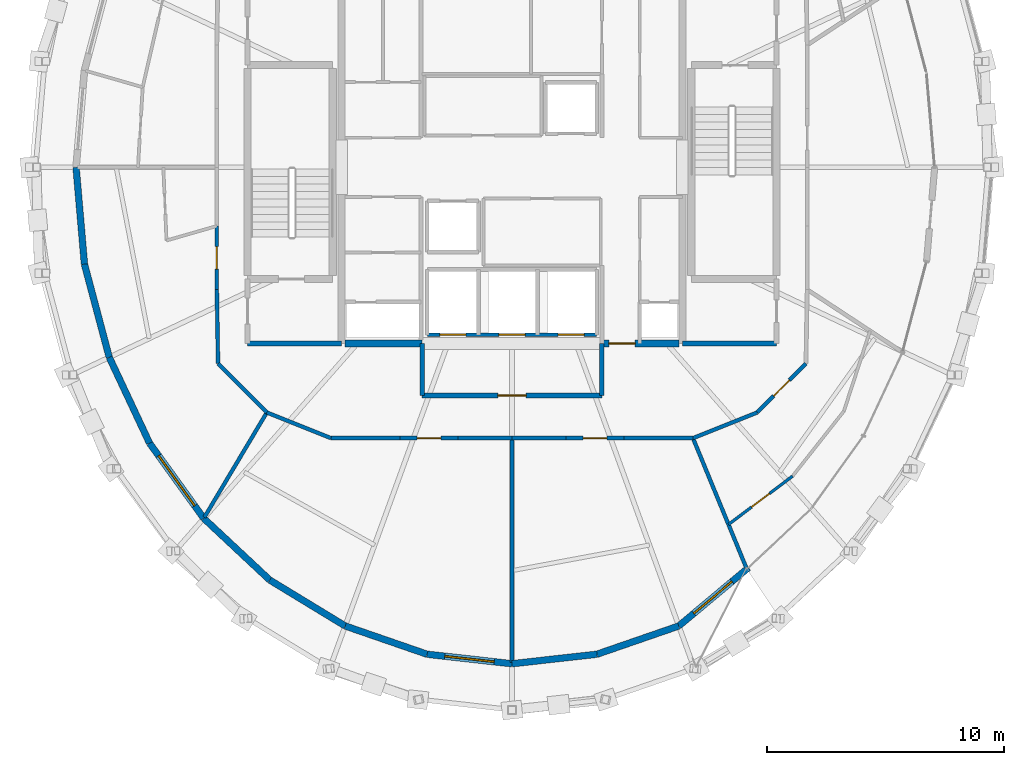
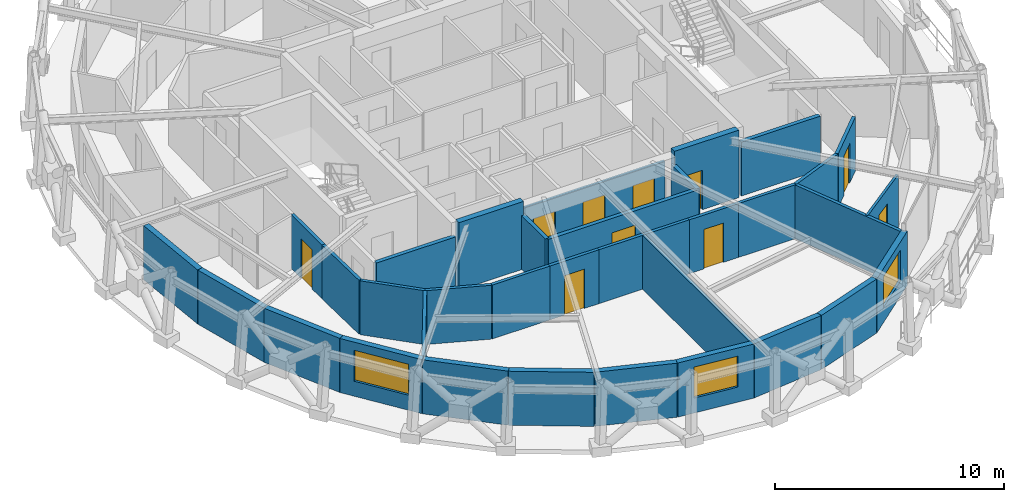
# One storey, part 11 of 16: 35 walls, 10 doors, 3 windows, 13 openings.
"""IFC4 building model written with IfcOpenShell, lengths in metres."""

import ifcopenshell
import ifcopenshell.guid

model = None  # the IFC model being written
_history = None  # IfcOwnerHistory: only IFC2X3 demands one
_inside = {}  # id of a spatial element -> (the spatial element, [elements in it])
_under = {}  # id of a project, library or spatial element -> (it, [spatial elements below it])
_declared = {}  # id of a project -> (the project, [libraries it declares])
_typed = {}  # id of a type object -> (the type object, [elements of that type])
_made_of = {}  # id of a material, layer set ... -> (it, [elements and type objects made of it])


def new_model(schema):
    """Start an empty IFC model of exactly this schema.

    Asked for "IFC4X3", IfcOpenShell would pick the latest addendum, in which some entities
    have other attributes; the version numbers below select the first issue.
    IFC2X3 requires an IfcOwnerHistory on every rooted entity: one is made here for all.
    """
    global model, _history
    if schema == "IFC4X3":
        model = ifcopenshell.file(schema_version=(4, 3, 0, 0))
    else:
        model = ifcopenshell.file(schema=schema)
    _inside.clear()
    _under.clear()
    _declared.clear()
    _typed.clear()
    _made_of.clear()
    _history = None
    if model.schema == "IFC2X3":
        org = make("IfcOrganization", Name="unknown")
        user = make(
            "IfcPersonAndOrganization",
            ThePerson=make("IfcPerson", FamilyName="unknown"),
            TheOrganization=org,
        )
        app = make(
            "IfcApplication",
            ApplicationDeveloper=org,
            Version="unknown",
            ApplicationFullName="unknown",
            ApplicationIdentifier="unknown",
        )
        _history = make(
            "IfcOwnerHistory",
            OwningUser=user,
            OwningApplication=app,
            ChangeAction="ADDED",
            CreationDate=0,
        )
    return model


def make(cls, **values):
    """One entity of the class cls with the attributes given. An attribute that is None is left unset."""
    return model.create_entity(
        cls, **{name: value for name, value in values.items() if value is not None}
    )


def rooted(cls, **values):
    """An entity with a GlobalId (a new one), such as an element, a storey or a relation."""
    return make(cls, GlobalId=ifcopenshell.guid.new(), OwnerHistory=_history, **values)


def si_unit(unit_type, name, prefix=None):
    """IfcSIUnit, for example si_unit("LENGTHUNIT", "METRE", prefix="MILLI")."""
    return make("IfcSIUnit", UnitType=unit_type, Prefix=prefix, Name=name)


def assignment(units):
    """IfcUnitAssignment: the units of a project."""
    return None if units is None else make("IfcUnitAssignment", Units=units)


def point(xyz):
    """IfcCartesianPoint."""
    return None if xyz is None else make("IfcCartesianPoint", Coordinates=xyz)


def direction(xyz):
    """IfcDirection."""
    return None if xyz is None else make("IfcDirection", DirectionRatios=xyz)


def frame(location, z_axis=None, x_axis=None):
    """IfcAxis2Placement3D, a coordinate frame: its origin and axes. An axis left out is left unset."""
    return make(
        "IfcAxis2Placement3D",
        Location=point(location),
        Axis=direction(z_axis),
        RefDirection=direction(x_axis),
    )


def frame_2d(location, x_axis=None):
    """IfcAxis2Placement2D, a coordinate frame in the plane: its origin and x axis."""
    return make(
        "IfcAxis2Placement2D", Location=point(location), RefDirection=direction(x_axis)
    )


def origin():
    """The frame at (0, 0, 0) with its axes left unset."""
    return frame((0.0, 0.0, 0.0))


def place(relative_to, where):
    """IfcLocalPlacement: puts the frame where relative to a parent placement (None: the world)."""
    return make(
        "IfcLocalPlacement", PlacementRelTo=relative_to, RelativePlacement=where
    )


def context(
    kind, dimensions, precision=None, world=None, true_north=None, identifier=None
):
    """IfcGeometricRepresentationContext, for example the 3D "Model" context."""
    return make(
        "IfcGeometricRepresentationContext",
        ContextIdentifier=identifier,
        ContextType=kind,
        CoordinateSpaceDimension=dimensions,
        Precision=precision,
        WorldCoordinateSystem=world,
        TrueNorth=true_north,
    )


def subcontext(parent, identifier, kind, view, scale=None):
    """IfcGeometricRepresentationSubContext, for example "Body" below "Model"."""
    return make(
        "IfcGeometricRepresentationSubContext",
        ContextIdentifier=identifier,
        ContextType=kind,
        ParentContext=parent,
        TargetScale=scale,
        TargetView=view,
    )


def project(units=None, contexts=None):
    """IfcProject with its units and contexts."""
    return rooted(
        "IfcProject",
        Name="project",
        RepresentationContexts=contexts,
        UnitsInContext=assignment(units),
    )


def spatial(cls, under=None, at=None, **own):
    """A site, building, storey or space (cls), placed at a placement, below another one or the project."""
    s = rooted(cls, ObjectPlacement=at, **own)
    if under is not None:
        _under.setdefault(under.id(), (under, []))[1].append(s)
    return s


def profile(cls, at=None, kind="AREA", **sizes):
    """A parametric profile (cls). Its sizes go by their IFC names, for example OverallWidth=200.0."""
    return make(cls, ProfileType=kind, Position=at, **sizes)


def rectangle(**sizes):
    """IfcRectangleProfileDef."""
    return profile("IfcRectangleProfileDef", **sizes)


def extrude(swept, where, along, depth):
    """IfcExtrudedAreaSolid: the profile swept, set in the frame where, extruded along a direction by depth."""
    return make(
        "IfcExtrudedAreaSolid",
        SweptArea=swept,
        Position=where,
        ExtrudedDirection=direction(along),
        Depth=depth,
    )


def shape(context_of_items, identifier, shape_type, items):
    """IfcShapeRepresentation: the items that make up one representation, for example the "Body"."""
    return make(
        "IfcShapeRepresentation",
        ContextOfItems=context_of_items,
        RepresentationIdentifier=identifier,
        RepresentationType=shape_type,
        Items=items,
    )


def material(Name=None, Category=None):
    """IfcMaterial."""
    return make("IfcMaterial", Name=Name, Category=Category)


def layer(
    of_material, thickness, ventilated=None, Name=None, Category=None, Priority=None
):
    """IfcMaterialLayer: one layer of a wall or slab, of a material (None: an air gap)."""
    return make(
        "IfcMaterialLayer",
        Material=of_material,
        LayerThickness=thickness,
        IsVentilated=ventilated,
        Name=Name,
        Category=Category,
        Priority=Priority,
    )


def layer_set(layers, Name=None):
    """IfcMaterialLayerSet."""
    return make("IfcMaterialLayerSet", MaterialLayers=layers, LayerSetName=Name)


def made_of(thing, what):
    """Note that an element or type object is made of a material, layer set ...; save() writes the relation."""
    if what is not None:
        _made_of.setdefault(what.id(), (what, []))[1].append(thing)
    return thing


def type_object(cls, material=None, **own):
    """A type object (cls), such as IfcWallType, which elements share."""
    return made_of(rooted(cls, **own), material)


def element(
    cls,
    number,
    at=None,
    inside=None,
    cuts=None,
    type_object=None,
    material=None,
    context=None,
    identifier="Body",
    shape_type=None,
    held_by="IfcProductDefinitionShape",
    body=None,
    shapes=None,
    **own,
):
    """One element of the class cls, such as IfcWall. Its Tag is "e" and its number.

    at: its placement. inside: the storey or other place that contains it. cuts: it is an
    opening in that element (IfcRelVoidsElement). A single representation is given by context,
    identifier, shape_type and body (its items); several are given by shapes. held_by: the class
    of the entity that holds the representations. save() writes the other relations.
    """
    e = rooted(cls, Tag="e%d" % number, ObjectPlacement=at, **own)
    if body is not None:
        shapes = [shape(context, identifier, shape_type, body)]
    if shapes is not None:
        e.Representation = make(held_by, Representations=shapes)
    if inside is not None:
        _inside.setdefault(inside.id(), (inside, []))[1].append(e)
    if cuts is not None:
        rooted(
            "IfcRelVoidsElement", RelatingBuildingElement=cuts, RelatedOpeningElement=e
        )
    if type_object is not None:
        _typed.setdefault(type_object.id(), (type_object, []))[1].append(e)
    return made_of(e, material)


def fill(opening, filler):
    """IfcRelFillsElement: the door or window that sits in an opening."""
    return rooted(
        "IfcRelFillsElement",
        RelatingOpeningElement=opening,
        RelatedBuildingElement=filler,
    )


def aggregate(whole, parts):
    """IfcRelAggregates: a whole, such as a stair, and the parts it consists of."""
    return rooted("IfcRelAggregates", RelatingObject=whole, RelatedObjects=parts)


def save(model, path):
    """Write the relations noted so far, then the file.

    IfcRelAggregates (storeys below a building ...), IfcRelContainedInSpatialStructure (elements
    in a storey), IfcRelDefinesByType, IfcRelAssociatesMaterial and IfcRelDeclares: one each for
    every whole, place, type object, material and project.
    """
    for whole, parts in _under.values():
        aggregate(whole, parts)
    for where, things in _inside.values():
        rooted(
            "IfcRelContainedInSpatialStructure",
            RelatedElements=things,
            RelatingStructure=where,
        )
    for kind, things in _typed.values():
        rooted("IfcRelDefinesByType", RelatedObjects=things, RelatingType=kind)
    for what, things in _made_of.values():
        rooted("IfcRelAssociatesMaterial", RelatedObjects=things, RelatingMaterial=what)
    for by, libraries in _declared.values():
        rooted("IfcRelDeclares", RelatingContext=by, RelatedDefinitions=libraries)
    model.write(path)


model = new_model("IFC4")

# Units and contexts
model_context = context("Model", 3, precision=1e-05, world=origin(), true_north=direction((0.0, 1.0)))
body_context = subcontext(model_context, "Body", "Model", "MODEL_VIEW")
ifc_project = project(units=[si_unit("LENGTHUNIT", "METRE"), si_unit("AREAUNIT", "SQUARE_METRE"), si_unit("VOLUMEUNIT", "CUBIC_METRE"), si_unit("PLANEANGLEUNIT", "RADIAN"), si_unit("MASSUNIT", "GRAM", prefix="KILO")], contexts=[model_context])

# Site, building, storey
site_placement = place(None, origin())
site = spatial("IfcSite", under=ifc_project, at=site_placement, CompositionType="ELEMENT")
building_placement = place(site_placement, origin())
building = spatial("IfcBuilding", under=site, at=building_placement, Name="Veldorina Hangang Commons", CompositionType="ELEMENT")
storey_placement = place(building_placement, frame((0.0, 0.0, 283.199951171875)))
storey = spatial("IfcBuildingStorey", under=building, at=storey_placement, Name="L74", CompositionType="ELEMENT", Elevation=283.199951171875)

# Wall
ifc_material_1 = material(Name="Concrete C50/60", Category="concrete")
ifc_layer_1 = layer(ifc_material_1, 0.300048828125)
ifc_layer_set_1 = layer_set([ifc_layer_1], Name="Concrete C50/60")
wall_type_1 = type_object("IfcWallType", Name="CW-RC300-C50", PredefinedType="SHEAR", material=ifc_layer_set_1)
wall_1_placement = place(storey_placement, frame((24.949951171875, 16.550048828125, 0.0), z_axis=(0.0, 0.0, 1.0), x_axis=(1.0, 0.0, 0.0)))
element("IfcWall", 1, at=wall_1_placement, inside=storey, type_object=wall_type_1, Name="L74 south-west core shear wall", PredefinedType="SHEAR", context=body_context, shape_type="SweptSolid", body=[
    extrude(rectangle(XDim=3.25, YDim=0.300048828125, at=frame_2d((1.625, 0.0))), origin(), (0.0, 0.0, 1.0), 3.60009765625),
])

# Wall, opening, door
wall_2_placement = place(storey_placement, frame((35.800048828125, 16.550048828125, 0.0), z_axis=(0.0, 0.0, 1.0), x_axis=(1.0, 0.0, 0.0)))
wall_2 = element("IfcWall", 2, at=wall_2_placement, inside=storey, type_object=wall_type_1, Name="L74 south-east core shear wall", PredefinedType="SHEAR", context=body_context, shape_type="SweptSolid", body=[
    extrude(rectangle(XDim=3.25, YDim=0.300048828125, at=frame_2d((1.625, 0.0))), origin(), (0.0, 0.0, 1.0), 3.60009765625),
])
opening_1_placement = place(wall_2_placement, frame((0.300048828125, 0.0, 0.0)))
opening_1 = element("IfcOpeningElement", 3, at=opening_1_placement, cuts=wall_2, Name="Opening D-08", PredefinedType="OPENING", context=body_context, shape_type="SweptSolid", body=[
    extrude(rectangle(XDim=1.10009765625, YDim=2.10009765625, at=frame_2d((0.550048828125, 1.050048828125))), frame((0.0, 0.16015625, 0.0), z_axis=(0.0, -1.0, 0.0), x_axis=(1.0, 0.0, 0.0)), (0.0, 0.0, 1.0), 0.320068359375),
])
ifc_material_2 = material(Name="Steel Fire-Rated Smoke Seal", Category="steel")
door_type_1 = type_object("IfcDoorType", Name="DR-FIRE-1100", OperationType="SINGLE_SWING_RIGHT", PredefinedType="DOOR", material=ifc_material_2)
door_1_placement = place(opening_1_placement, origin())
door_1 = element("IfcDoor", 4, at=door_1_placement, inside=storey, type_object=door_type_1, Name="L74 central lift lobby south corridor door", OperationType="SINGLE_SWING_RIGHT", OverallHeight=2.10009765625, OverallWidth=1.10009765625, PredefinedType="DOOR", context=body_context, shape_type="SweptSolid", body=[
    extrude(rectangle(XDim=1.10009765625, YDim=2.10009765625, at=frame_2d((0.550048828125, 1.050048828125))), frame((0.0, 0.02490234375, 0.0), z_axis=(0.0, -1.0, 0.0), x_axis=(1.0, 0.0, 0.0)), (0.0, 0.0, 1.0), 0.050048828125),
])
fill(opening_1, door_1)

# Walls
ifc_material_3 = material(Name="Stone Roman Travertine", Category="masonry")
ifc_layer_2 = layer(ifc_material_3, 0.280029296875)
ifc_layer_set_2 = layer_set([ifc_layer_2], Name="Stone Roman Travertine")
wall_type_2 = type_object("IfcWallType", Name="EW-TRAV-280", PredefinedType="STANDARD", material=ifc_layer_set_2)
wall_3_placement = place(storey_placement, frame((13.5703125, 24.0, 0.0), z_axis=(0.0, 0.0, 1.0), x_axis=(0.086132326102, -0.996283705779, 0.0)))
element("IfcWall", 5, at=wall_3_placement, inside=storey, type_object=wall_type_2, Name="L74 travertine facade wall 16", PredefinedType="STANDARD", context=body_context, shape_type="SweptSolid", body=[
    extrude(rectangle(XDim=4.110107421875, YDim=0.280029296875, at=frame_2d((2.05517578125, 0.0))), origin(), (0.0, 0.0, 1.0), 2.880126953125),
])
wall_4_placement = place(storey_placement, frame((13.92431640625, 19.9052734375, 0.0), z_axis=(0.0, 0.0, 1.0), x_axis=(0.257409045533, -0.966302531963, 0.0)))
element("IfcWall", 6, at=wall_4_placement, inside=storey, type_object=wall_type_2, Name="L74 travertine facade wall 17", PredefinedType="STANDARD", context=body_context, shape_type="SweptSolid", body=[
    extrude(rectangle(XDim=4.074462890625, YDim=0.280029296875, at=frame_2d((2.037109375, 0.0))), origin(), (0.0, 0.0, 1.0), 2.880126953125),
])
wall_5_placement = place(storey_placement, frame((14.97314453125, 15.968017578125, 0.0), z_axis=(0.0, 0.0, 1.0), x_axis=(0.424881672648, -0.905248896297, 0.0)))
element("IfcWall", 7, at=wall_5_placement, inside=storey, type_object=wall_type_2, Name="L74 travertine facade wall 18", PredefinedType="STANDARD", context=body_context, shape_type="SweptSolid", body=[
    extrude(rectangle(XDim=4.008544921875, YDim=0.280029296875, at=frame_2d((2.00439453125, 0.0))), origin(), (0.0, 0.0, 1.0), 2.880126953125),
])

# Wall, opening, window
wall_6_placement = place(storey_placement, frame((16.67626953125, 12.33935546875, 0.0), z_axis=(0.0, 0.0, 1.0), x_axis=(0.584655758142, -0.811281482884, 0.0)))
wall_6 = element("IfcWall", 8, at=wall_6_placement, inside=storey, type_object=wall_type_2, Name="L74 travertine facade wall 19", PredefinedType="STANDARD", context=body_context, shape_type="SweptSolid", body=[
    extrude(rectangle(XDim=3.920166015625, YDim=0.280029296875, at=frame_2d((1.9599609375, 0.0))), origin(), (0.0, 0.0, 1.0), 2.880126953125),
])
opening_2_placement = place(wall_6_placement, frame((0.66015625, 0.0, 0.800048828125)))
opening_2 = element("IfcOpeningElement", 9, at=opening_2_placement, cuts=wall_6, Name="Opening W-02", PredefinedType="OPENING", context=body_context, shape_type="SweptSolid", body=[
    extrude(rectangle(XDim=2.60009765625, YDim=1.64990234375, at=frame_2d((1.300048828125, 0.824951171875))), frame((0.0, 0.14990234375, 0.0), z_axis=(0.0, -1.0, 0.0), x_axis=(1.0, 0.0, 0.0)), (0.0, 0.0, 1.0), 0.300048828125),
])
ifc_material_4 = material(Name="Glass Low-E Triple IGU", Category="glass")
window_type_1 = type_object("IfcWindowType", Name="WIN-TWR-2600", PartitioningType="SINGLE_PANEL", PredefinedType="WINDOW", material=ifc_material_4)
window_1_placement = place(opening_2_placement, origin())
window_1 = element("IfcWindow", 10, at=window_1_placement, inside=storey, type_object=window_type_1, Name="L74 facade window 19", OverallHeight=1.64990234375, OverallWidth=2.60009765625, PartitioningType="SINGLE_PANEL", PredefinedType="WINDOW", context=body_context, shape_type="SweptSolid", body=[
    extrude(rectangle(XDim=2.60009765625, YDim=1.64990234375, at=frame_2d((1.300048828125, 0.824951171875))), frame((0.0, 0.030029296875, 0.0), z_axis=(0.0, -1.0, 0.0), x_axis=(1.0, 0.0, 0.0)), (0.0, 0.0, 1.0), 0.06005859375),
])
fill(opening_2, window_1)

# Walls
wall_7_placement = place(storey_placement, frame((18.96826171875, 9.158935546875, 0.0), z_axis=(0.0, 0.0, 1.0), x_axis=(0.730558106244, -0.682850535184, 0.0)))
element("IfcWall", 11, at=wall_7_placement, inside=storey, type_object=wall_type_2, Name="L74 travertine facade wall 20", PredefinedType="STANDARD", context=body_context, shape_type="SweptSolid", body=[
    extrude(rectangle(XDim=3.82275390625, YDim=0.280029296875, at=frame_2d((1.911376953125, 0.0))), origin(), (0.0, 0.0, 1.0), 2.880126953125),
])
wall_8_placement = place(storey_placement, frame((21.760986328125, 6.548583984375, 0.0), z_axis=(0.0, 0.0, 1.0), x_axis=(0.854201083367, -0.519942794136, 0.0)))
element("IfcWall", 12, at=wall_8_placement, inside=storey, type_object=wall_type_2, Name="L74 travertine facade wall 21", PredefinedType="STANDARD", context=body_context, shape_type="SweptSolid", body=[
    extrude(rectangle(XDim=3.730224609375, YDim=0.280029296875, at=frame_2d((1.865234375, 0.0))), origin(), (0.0, 0.0, 1.0), 2.880126953125),
])
wall_9_placement = place(storey_placement, frame((24.947265625, 4.609130859375, 0.0), z_axis=(0.0, 0.0, 1.0), x_axis=(0.945189830933, -0.326521336976, 0.0)))
element("IfcWall", 13, at=wall_9_placement, inside=storey, type_object=wall_type_2, Name="L74 travertine facade wall 22", PredefinedType="STANDARD", context=body_context, shape_type="SweptSolid", body=[
    extrude(rectangle(XDim=3.65771484375, YDim=0.280029296875, at=frame_2d((1.828857421875, 0.0))), origin(), (0.0, 0.0, 1.0), 2.880126953125),
])

# Wall, opening, window
wall_10_placement = place(storey_placement, frame((28.404541015625, 3.414794921875, 0.0), z_axis=(0.0, 0.0, 1.0), x_axis=(0.993767154633, -0.111475747909, 0.0)))
wall_10 = element("IfcWall", 14, at=wall_10_placement, inside=storey, type_object=wall_type_2, Name="L74 travertine facade wall 23", PredefinedType="STANDARD", context=body_context, shape_type="SweptSolid", body=[
    extrude(rectangle(XDim=3.617919921875, YDim=0.280029296875, at=frame_2d((1.80908203125, 0.0))), origin(), (0.0, 0.0, 1.0), 2.880126953125),
])
opening_3_placement = place(wall_10_placement, frame((0.759033203125, 0.0, 0.800048828125)))
opening_3 = element("IfcOpeningElement", 15, at=opening_3_placement, cuts=wall_10, Name="Opening W-03", PredefinedType="OPENING", context=body_context, shape_type="SweptSolid", body=[
    extrude(rectangle(XDim=2.10009765625, YDim=1.64990234375, at=frame_2d((1.050048828125, 0.824951171875))), frame((0.0, 0.14990234375, 0.0), z_axis=(0.0, -1.0, 0.0), x_axis=(1.0, 0.0, 0.0)), (0.0, 0.0, 1.0), 0.300048828125),
])
window_type_2 = type_object("IfcWindowType", Name="WIN-TWR-2100", PartitioningType="SINGLE_PANEL", PredefinedType="WINDOW", material=ifc_material_4)
window_2_placement = place(opening_3_placement, origin())
window_2 = element("IfcWindow", 16, at=window_2_placement, inside=storey, type_object=window_type_2, Name="L74 facade window 23", OverallHeight=1.64990234375, OverallWidth=2.10009765625, PartitioningType="SINGLE_PANEL", PredefinedType="WINDOW", context=body_context, shape_type="SweptSolid", body=[
    extrude(rectangle(XDim=2.10009765625, YDim=1.64990234375, at=frame_2d((1.050048828125, 0.824951171875))), frame((0.0, 0.030029296875, 0.0), z_axis=(0.0, -1.0, 0.0), x_axis=(1.0, 0.0, 0.0)), (0.0, 0.0, 1.0), 0.06005859375),
])
fill(opening_3, window_2)

# Walls
wall_11_placement = place(storey_placement, frame((32.0, 3.011474609375, 0.0), z_axis=(0.0, 0.0, 1.0), x_axis=(0.993767154633, 0.111475747909, 0.0)))
element("IfcWall", 17, at=wall_11_placement, inside=storey, type_object=wall_type_2, Name="L74 travertine facade wall 24", PredefinedType="STANDARD", context=body_context, shape_type="SweptSolid", body=[
    extrude(rectangle(XDim=3.617919921875, YDim=0.280029296875, at=frame_2d((1.80908203125, 0.0))), origin(), (0.0, 0.0, 1.0), 2.880126953125),
])
wall_12_placement = place(storey_placement, frame((35.595458984375, 3.414794921875, 0.0), z_axis=(0.0, 0.0, 1.0), x_axis=(0.945189830933, 0.326521336976, 0.0)))
element("IfcWall", 18, at=wall_12_placement, inside=storey, type_object=wall_type_2, Name="L74 travertine facade wall 25", PredefinedType="STANDARD", context=body_context, shape_type="SweptSolid", body=[
    extrude(rectangle(XDim=3.65771484375, YDim=0.280029296875, at=frame_2d((1.828857421875, 0.0))), origin(), (0.0, 0.0, 1.0), 2.880126953125),
])

# Wall, opening, window
wall_13_placement = place(storey_placement, frame((39.052734375, 4.609130859375, 0.0), z_axis=(0.0, 0.0, 1.0), x_axis=(0.767031932992, 0.641608925882, 0.0)))
wall_13 = element("IfcWall", 19, at=wall_13_placement, inside=storey, type_object=wall_type_2, Name="L74 travertine facade wall 26", PredefinedType="STANDARD", context=body_context, shape_type="SweptSolid", body=[
    extrude(rectangle(XDim=3.840576171875, YDim=0.280029296875, at=frame_2d((1.92041015625, 0.0))), origin(), (0.0, 0.0, 1.0), 2.880126953125),
])
opening_4_placement = place(wall_13_placement, frame((0.82421875, 0.0, 0.800048828125)))
opening_4 = element("IfcOpeningElement", 20, at=opening_4_placement, cuts=wall_13, Name="Opening W-03", PredefinedType="OPENING", context=body_context, shape_type="SweptSolid", body=[
    extrude(rectangle(XDim=2.10009765625, YDim=1.64990234375, at=frame_2d((1.050048828125, 0.824951171875))), frame((0.0, 0.14990234375, 0.0), z_axis=(0.0, -1.0, 0.0), x_axis=(1.0, 0.0, 0.0)), (0.0, 0.0, 1.0), 0.300048828125),
])
window_3_placement = place(opening_4_placement, origin())
window_3 = element("IfcWindow", 21, at=window_3_placement, inside=storey, type_object=window_type_2, Name="L74 facade window 26", OverallHeight=1.64990234375, OverallWidth=2.10009765625, PartitioningType="SINGLE_PANEL", PredefinedType="WINDOW", context=body_context, shape_type="SweptSolid", body=[
    extrude(rectangle(XDim=2.10009765625, YDim=1.64990234375, at=frame_2d((1.050048828125, 0.824951171875))), frame((0.0, 0.030029296875, 0.0), z_axis=(0.0, -1.0, 0.0), x_axis=(1.0, 0.0, 0.0)), (0.0, 0.0, 1.0), 0.06005859375),
])
fill(opening_4, window_3)

# Wall, openings, doors
ifc_material_5 = material(Name="Gypsum Fire-Rated Twin Stud Wall", Category="gypsum")
ifc_layer_3 = layer(ifc_material_5, 0.159912109375)
ifc_layer_set_3 = layer_set([ifc_layer_3], Name="Gypsum Fire-Rated Twin Stud Wall")
wall_type_3 = type_object("IfcWallType", Name="WL-FIRE-160", PredefinedType="SOLIDWALL", material=ifc_layer_set_3)
wall_14_placement = place(storey_placement, frame((28.419921875, 16.919921875, 0.0), z_axis=(0.0, 0.0, 1.0), x_axis=(1.0, 0.0, 0.0)))
wall_14 = element("IfcWall", 22, at=wall_14_placement, inside=storey, type_object=wall_type_3, Name="L74 Emergency front shaft wall 023", PredefinedType="SOLIDWALL", context=body_context, shape_type="SweptSolid", body=[
    extrude(rectangle(XDim=7.16015625, YDim=0.159912109375, at=frame_2d((3.580078125, 0.0))), origin(), (0.0, 0.0, 1.0), 2.8701171875),
])
opening_5_placement = place(wall_14_placement, frame((0.530029296875, 0.0, 0.0)))
opening_5 = element("IfcOpeningElement", 23, at=opening_5_placement, cuts=wall_14, Name="Opening LD-03", PredefinedType="OPENING", context=body_context, shape_type="SweptSolid", body=[
    extrude(rectangle(XDim=1.10009765625, YDim=2.14990234375, at=frame_2d((0.550048828125, 1.074951171875))), frame((0.0, 0.08984375, 0.0), z_axis=(0.0, -1.0, 0.0), x_axis=(1.0, 0.0, 0.0)), (0.0, 0.0, 1.0), 0.179931640625),
])
opening_6_placement = place(wall_14_placement, frame((3.030029296875, 0.0, 0.0)))
opening_6 = element("IfcOpeningElement", 24, at=opening_6_placement, cuts=wall_14, Name="Opening LD-03", PredefinedType="OPENING", context=body_context, shape_type="SweptSolid", body=[
    extrude(rectangle(XDim=1.10009765625, YDim=2.14990234375, at=frame_2d((0.550048828125, 1.074951171875))), frame((0.0, 0.08984375, 0.0), z_axis=(0.0, -1.0, 0.0), x_axis=(1.0, 0.0, 0.0)), (0.0, 0.0, 1.0), 0.179931640625),
])
opening_7_placement = place(wall_14_placement, frame((5.530029296875, 0.0, 0.0)))
opening_7 = element("IfcOpeningElement", 25, at=opening_7_placement, cuts=wall_14, Name="Opening LD-03", PredefinedType="OPENING", context=body_context, shape_type="SweptSolid", body=[
    extrude(rectangle(XDim=1.10009765625, YDim=2.14990234375, at=frame_2d((0.550048828125, 1.074951171875))), frame((0.0, 0.08984375, 0.0), z_axis=(0.0, -1.0, 0.0), x_axis=(1.0, 0.0, 0.0)), (0.0, 0.0, 1.0), 0.179931640625),
])
ifc_material_6 = material(Name="Stainless Steel Firefighting Lift Door", Category="steel")
door_type_2 = type_object("IfcDoorType", Name="DR-LIFT-FF1100", OperationType="SLIDING_TO_RIGHT", PredefinedType="DOOR", material=ifc_material_6)
door_2_placement = place(opening_5_placement, origin())
door_2 = element("IfcDoor", 26, at=door_2_placement, inside=storey, type_object=door_type_2, Name="L74 Emergency lift FFL-1 landing door 008", OperationType="SLIDING_TO_RIGHT", OverallHeight=2.14990234375, OverallWidth=1.10009765625, PredefinedType="DOOR", context=body_context, shape_type="SweptSolid", body=[
    extrude(rectangle(XDim=1.10009765625, YDim=2.14990234375, at=frame_2d((0.550048828125, 1.074951171875))), frame((0.0, 0.02490234375, 0.0), z_axis=(0.0, -1.0, 0.0), x_axis=(1.0, 0.0, 0.0)), (0.0, 0.0, 1.0), 0.050048828125),
])
fill(opening_5, door_2)
door_3_placement = place(opening_6_placement, origin())
door_3 = element("IfcDoor", 27, at=door_3_placement, inside=storey, type_object=door_type_2, Name="L74 Emergency lift FFL-2 landing door 009", OperationType="SLIDING_TO_RIGHT", OverallHeight=2.14990234375, OverallWidth=1.10009765625, PredefinedType="DOOR", context=body_context, shape_type="SweptSolid", body=[
    extrude(rectangle(XDim=1.10009765625, YDim=2.14990234375, at=frame_2d((0.550048828125, 1.074951171875))), frame((0.0, 0.02490234375, 0.0), z_axis=(0.0, -1.0, 0.0), x_axis=(1.0, 0.0, 0.0)), (0.0, 0.0, 1.0), 0.050048828125),
])
fill(opening_6, door_3)
door_4_placement = place(opening_7_placement, origin())
door_4 = element("IfcDoor", 28, at=door_4_placement, inside=storey, type_object=door_type_2, Name="L74 Emergency lift EVL-1 landing door 010", OperationType="SLIDING_TO_RIGHT", OverallHeight=2.14990234375, OverallWidth=1.10009765625, PredefinedType="DOOR", context=body_context, shape_type="SweptSolid", body=[
    extrude(rectangle(XDim=1.10009765625, YDim=2.14990234375, at=frame_2d((0.550048828125, 1.074951171875))), frame((0.0, 0.02490234375, 0.0), z_axis=(0.0, -1.0, 0.0), x_axis=(1.0, 0.0, 0.0)), (0.0, 0.0, 1.0), 0.050048828125),
])
fill(opening_7, door_4)

# Wall, opening, door
wall_15_placement = place(storey_placement, frame((19.52001953125, 21.517578125, 0.0), z_axis=(0.0, 0.0, 1.0), x_axis=(0.0, -1.0, 0.0)))
wall_15 = element("IfcWall", 29, at=wall_15_placement, inside=storey, type_object=wall_type_3, Name="L74 Compact collar outer wall 17 071", PredefinedType="SOLIDWALL", context=body_context, shape_type="SweptSolid", body=[
    extrude(rectangle(XDim=2.68701171875, YDim=0.159912109375, at=frame_2d((1.343505859375, 0.0))), origin(), (0.0, 0.0, 1.0), 2.8701171875),
])
opening_8_placement = place(wall_15_placement, frame((0.868408203125, 0.0, 0.0)))
opening_8 = element("IfcOpeningElement", 30, at=opening_8_placement, cuts=wall_15, Name="Opening D-03", PredefinedType="OPENING", context=body_context, shape_type="SweptSolid", body=[
    extrude(rectangle(XDim=0.949951171875, YDim=2.10009765625, at=frame_2d((0.47509765625, 1.050048828125))), frame((0.0, 0.08984375, 0.0), z_axis=(0.0, -1.0, 0.0), x_axis=(1.0, 0.0, 0.0)), (0.0, 0.0, 1.0), 0.179931640625),
])
ifc_material_7 = material(Name="Timber Fire-Rated Entrance Core", Category="wood")
door_type_3 = type_object("IfcDoorType", Name="DR-UNIT-950", OperationType="SINGLE_SWING_RIGHT", PredefinedType="DOOR", material=ifc_material_7)
door_5_placement = place(opening_8_placement, origin())
door_5 = element("IfcDoor", 31, at=door_5_placement, inside=storey, type_object=door_type_3, Name="L74 Studio 5 entrance door 036", OperationType="SINGLE_SWING_RIGHT", OverallHeight=2.10009765625, OverallWidth=0.949951171875, PredefinedType="DOOR", context=body_context, shape_type="SweptSolid", body=[
    extrude(rectangle(XDim=0.949951171875, YDim=2.10009765625, at=frame_2d((0.47509765625, 1.050048828125))), frame((0.0, 0.02490234375, 0.0), z_axis=(0.0, -1.0, 0.0), x_axis=(1.0, 0.0, 0.0)), (0.0, 0.0, 1.0), 0.050048828125),
])
fill(opening_8, door_5)

# Walls
wall_16_placement = place(storey_placement, frame((19.52001953125, 18.83056640625, 0.0), z_axis=(0.0, 0.0, 1.0), x_axis=(0.016981035134, -0.999855811828, 0.0)))
element("IfcWall", 32, at=wall_16_placement, inside=storey, type_object=wall_type_3, Name="L74 Compact collar outer wall 18 072", PredefinedType="SOLIDWALL", context=body_context, shape_type="SweptSolid", body=[
    extrude(rectangle(XDim=3.13427734375, YDim=0.159912109375, at=frame_2d((1.567138671875, 0.0))), origin(), (0.0, 0.0, 1.0), 2.8701171875),
])
wall_17_placement = place(storey_placement, frame((19.5732421875, 15.69677734375, 0.0), z_axis=(0.0, 0.0, 1.0), x_axis=(0.707106781187, -0.707106781187, 0.0)))
element("IfcWall", 33, at=wall_17_placement, inside=storey, type_object=wall_type_3, Name="L74 Compact collar outer wall 19 073", PredefinedType="SOLIDWALL", context=body_context, shape_type="SweptSolid", body=[
    extrude(rectangle(XDim=2.915771484375, YDim=0.159912109375, at=frame_2d((1.4580078125, 0.0))), origin(), (0.0, 0.0, 1.0), 2.8701171875),
])
wall_18_placement = place(storey_placement, frame((21.635009765625, 13.635009765625, 0.0), z_axis=(0.0, 0.0, 1.0), x_axis=(0.92856882165, -0.371160266542, 0.0)))
element("IfcWall", 34, at=wall_18_placement, inside=storey, type_object=wall_type_3, Name="L74 Compact collar outer wall 20 074", PredefinedType="SOLIDWALL", context=body_context, shape_type="SweptSolid", body=[
    extrude(rectangle(XDim=2.923095703125, YDim=0.159912109375, at=frame_2d((1.46142578125, 0.0))), origin(), (0.0, 0.0, 1.0), 2.8701171875),
])
wall_19_placement = place(storey_placement, frame((24.349365234375, 12.550048828125, 0.0), z_axis=(0.0, 0.0, 1.0), x_axis=(1.0, 0.0, 0.0)))
element("IfcWall", 35, at=wall_19_placement, inside=storey, type_object=wall_type_3, Name="L74 Compact collar outer wall 21 075", PredefinedType="SOLIDWALL", context=body_context, shape_type="SweptSolid", body=[
    extrude(rectangle(XDim=2.907958984375, YDim=0.159912109375, at=frame_2d((1.4541015625, 0.0))), origin(), (0.0, 0.0, 1.0), 2.8701171875),
])

# Wall, opening, door
wall_20_placement = place(storey_placement, frame((27.25732421875, 12.550048828125, 0.0), z_axis=(0.0, 0.0, 1.0), x_axis=(1.0, 0.0, 0.0)))
wall_20 = element("IfcWall", 36, at=wall_20_placement, inside=storey, type_object=wall_type_3, Name="L74 Compact collar outer wall 22 076", PredefinedType="SOLIDWALL", context=body_context, shape_type="SweptSolid", body=[
    extrude(rectangle(XDim=2.465087890625, YDim=0.159912109375, at=frame_2d((1.232421875, 0.0))), origin(), (0.0, 0.0, 1.0), 2.8701171875),
])
opening_9_placement = place(wall_20_placement, frame((0.732666015625, 0.0, 0.0)))
opening_9 = element("IfcOpeningElement", 37, at=opening_9_placement, cuts=wall_20, Name="Opening D-05", PredefinedType="OPENING", context=body_context, shape_type="SweptSolid", body=[
    extrude(rectangle(XDim=1.0, YDim=2.10009765625, at=frame_2d((0.5, 1.050048828125))), frame((0.0, 0.08984375, 0.0), z_axis=(0.0, -1.0, 0.0), x_axis=(1.0, 0.0, 0.0)), (0.0, 0.0, 1.0), 0.179931640625),
])
ifc_material_8 = material(Name="Timber Solid Core Acoustic", Category="wood")
door_type_4 = type_object("IfcDoorType", Name="DR-INT-1000", OperationType="SINGLE_SWING_RIGHT", PredefinedType="DOOR", material=ifc_material_8)
door_6_placement = place(opening_9_placement, origin())
door_6 = element("IfcDoor", 38, at=door_6_placement, inside=storey, type_object=door_type_4, Name="L74 Floor Study Room 6 door 037", OperationType="SINGLE_SWING_LEFT", OverallHeight=2.10009765625, OverallWidth=1.0, PredefinedType="DOOR", context=body_context, shape_type="SweptSolid", body=[
    extrude(rectangle(XDim=1.0, YDim=2.10009765625, at=frame_2d((0.5, 1.050048828125))), frame((0.0, 0.02490234375, 0.0), z_axis=(0.0, -1.0, 0.0), x_axis=(1.0, 0.0, 0.0)), (0.0, 0.0, 1.0), 0.050048828125),
])
fill(opening_9, door_6)

# Walls
for number, where, z_axis, x_axis, name in (
    (39, (29.722412109375, 12.550048828125, 0.0), (0.0, 0.0, 1.0), (1.0, 0.0, 0.0), "L74 Compact collar outer wall 23 077"),
    (40, (32.0, 12.550048828125, 0.0), (0.0, 0.0, 1.0), (1.0, 0.0, 0.0), "L74 Compact collar outer wall 24 078"),
):
    element("IfcWall", number, at=place(storey_placement, frame(where, z_axis=z_axis, x_axis=x_axis)), inside=storey, type_object=wall_type_3, Name=name, PredefinedType="SOLIDWALL", context=body_context, shape_type="SweptSolid", body=[
        extrude(rectangle(XDim=2.277587890625, YDim=0.159912109375, at=frame_2d((1.138671875, 0.0))), origin(), (0.0, 0.0, 1.0), 2.8701171875),
    ])

# Wall, opening, door
wall_21_placement = place(storey_placement, frame((34.277587890625, 12.550048828125, 0.0), z_axis=(0.0, 0.0, 1.0), x_axis=(1.0, 0.0, 0.0)))
wall_21 = element("IfcWall", 41, at=wall_21_placement, inside=storey, type_object=wall_type_3, Name="L74 Compact collar outer wall 25 079", PredefinedType="SOLIDWALL", context=body_context, shape_type="SweptSolid", body=[
    extrude(rectangle(XDim=2.465087890625, YDim=0.159912109375, at=frame_2d((1.232421875, 0.0))), origin(), (0.0, 0.0, 1.0), 2.8701171875),
])
opening_10_placement = place(wall_21_placement, frame((0.732666015625, 0.0, 0.0)))
opening_10 = element("IfcOpeningElement", 42, at=opening_10_placement, cuts=wall_21, Name="Opening D-05", PredefinedType="OPENING", context=body_context, shape_type="SweptSolid", body=[
    extrude(rectangle(XDim=1.0, YDim=2.10009765625, at=frame_2d((0.5, 1.050048828125))), frame((0.0, 0.08984375, 0.0), z_axis=(0.0, -1.0, 0.0), x_axis=(1.0, 0.0, 0.0)), (0.0, 0.0, 1.0), 0.179931640625),
])
door_7_placement = place(opening_10_placement, origin())
door_7 = element("IfcDoor", 43, at=door_7_placement, inside=storey, type_object=door_type_4, Name="L74 Seminar Focus Room 7 door 038", OperationType="SINGLE_SWING_RIGHT", OverallHeight=2.10009765625, OverallWidth=1.0, PredefinedType="DOOR", context=body_context, shape_type="SweptSolid", body=[
    extrude(rectangle(XDim=1.0, YDim=2.10009765625, at=frame_2d((0.5, 1.050048828125))), frame((0.0, 0.02490234375, 0.0), z_axis=(0.0, -1.0, 0.0), x_axis=(1.0, 0.0, 0.0)), (0.0, 0.0, 1.0), 0.050048828125),
])
fill(opening_10, door_7)

# Walls
wall_22_placement = place(storey_placement, frame((36.74267578125, 12.550048828125, 0.0), z_axis=(0.0, 0.0, 1.0), x_axis=(1.0, 0.0, 0.0)))
element("IfcWall", 44, at=wall_22_placement, inside=storey, type_object=wall_type_3, Name="L74 Compact collar outer wall 26 080", PredefinedType="SOLIDWALL", context=body_context, shape_type="SweptSolid", body=[
    extrude(rectangle(XDim=2.907958984375, YDim=0.159912109375, at=frame_2d((1.4541015625, 0.0))), origin(), (0.0, 0.0, 1.0), 2.8701171875),
])
wall_23_placement = place(storey_placement, frame((39.650634765625, 12.550048828125, 0.0), z_axis=(0.0, 0.0, 1.0), x_axis=(0.92856882165, 0.371160266542, 0.0)))
element("IfcWall", 45, at=wall_23_placement, inside=storey, type_object=wall_type_3, Name="L74 Compact collar outer wall 27 081", PredefinedType="SOLIDWALL", context=body_context, shape_type="SweptSolid", body=[
    extrude(rectangle(XDim=2.923095703125, YDim=0.159912109375, at=frame_2d((1.46142578125, 0.0))), origin(), (0.0, 0.0, 1.0), 2.8701171875),
])

# Wall, opening, door
wall_24_placement = place(storey_placement, frame((42.364990234375, 13.635009765625, 0.0), z_axis=(0.0, 0.0, 1.0), x_axis=(0.707106781187, 0.707106781187, 0.0)))
wall_24 = element("IfcWall", 46, at=wall_24_placement, inside=storey, type_object=wall_type_3, Name="L74 Compact collar outer wall 28 082", PredefinedType="SOLIDWALL", context=body_context, shape_type="SweptSolid", body=[
    extrude(rectangle(XDim=2.915771484375, YDim=0.159912109375, at=frame_2d((1.4580078125, 0.0))), origin(), (0.0, 0.0, 1.0), 2.8701171875),
])
opening_11_placement = place(wall_24_placement, frame((0.98291015625, 0.0, 0.0)))
opening_11 = element("IfcOpeningElement", 47, at=opening_11_placement, cuts=wall_24, Name="Opening D-02", PredefinedType="OPENING", context=body_context, shape_type="SweptSolid", body=[
    extrude(rectangle(XDim=0.949951171875, YDim=2.10009765625, at=frame_2d((0.47509765625, 1.050048828125))), frame((0.0, 0.08984375, 0.0), z_axis=(0.0, -1.0, 0.0), x_axis=(1.0, 0.0, 0.0)), (0.0, 0.0, 1.0), 0.179931640625),
])
door_type_5 = type_object("IfcDoorType", Name="DR-INT-950", OperationType="SINGLE_SWING_LEFT", PredefinedType="DOOR", material=ifc_material_8)
door_8_placement = place(opening_11_placement, origin())
door_8 = element("IfcDoor", 48, at=door_8_placement, inside=storey, type_object=door_type_5, Name="L74 Linen drying store door 039", OperationType="SINGLE_SWING_LEFT", OverallHeight=2.10009765625, OverallWidth=0.949951171875, PredefinedType="DOOR", context=body_context, shape_type="SweptSolid", body=[
    extrude(rectangle(XDim=0.949951171875, YDim=2.10009765625, at=frame_2d((0.47509765625, 1.050048828125))), frame((0.0, 0.02490234375, 0.0), z_axis=(0.0, -1.0, 0.0), x_axis=(1.0, 0.0, 0.0)), (0.0, 0.0, 1.0), 0.050048828125),
])
fill(opening_11, door_8)

# Walls
wall_25_placement = place(storey_placement, frame((21.635009765625, 13.635009765625, 0.0), z_axis=(0.0, 0.0, 1.0), x_axis=(-0.511821520019, -0.859091806296, 0.0)))
element("IfcWall", 49, at=wall_25_placement, inside=storey, type_object=wall_type_3, Name="L74 Unit party wall 20 106", PredefinedType="SOLIDWALL", context=body_context, shape_type="SweptSolid", body=[
    extrude(rectangle(XDim=5.16015625, YDim=0.159912109375, at=frame_2d((2.580078125, 0.0))), origin(), (0.0, 0.0, 1.0), 2.8701171875),
])
wall_26_placement = place(storey_placement, frame((32.0, 12.550048828125, 0.0), z_axis=(0.0, 0.0, 1.0), x_axis=(0.0, -1.0, 0.0)))
element("IfcWall", 50, at=wall_26_placement, inside=storey, type_object=wall_type_3, Name="L74 Unit party wall 24 107", PredefinedType="SOLIDWALL", context=body_context, shape_type="SweptSolid", body=[
    extrude(rectangle(XDim=9.488525390625, YDim=0.159912109375, at=frame_2d((4.744140625, 0.0))), origin(), (0.0, 0.0, 1.0), 2.8701171875),
])
wall_27_placement = place(storey_placement, frame((39.650634765625, 12.550048828125, 0.0), z_axis=(0.0, 0.0, 1.0), x_axis=(0.380449830374, -0.924801560643, 0.0)))
element("IfcWall", 51, at=wall_27_placement, inside=storey, type_object=wall_type_3, Name="L74 Unit party wall 27 108", PredefinedType="SOLIDWALL", context=body_context, shape_type="SweptSolid", body=[
    extrude(rectangle(XDim=5.935791015625, YDim=0.159912109375, at=frame_2d((2.9677734375, 0.0))), origin(), (0.0, 0.0, 1.0), 2.8701171875),
])
ifc_material_9 = material(Name="Concrete Blockwork Fire Wall C30/37", Category="masonry")
ifc_layer_4 = layer(ifc_material_9, 0.199951171875)
ifc_layer_set_4 = layer_set([ifc_layer_4], Name="Concrete Blockwork Fire Wall C30/37")
wall_type_4 = type_object("IfcWallType", Name="WL-FIRE-200", PredefinedType="SOLIDWALL", material=ifc_layer_set_4)
for number, where, z_axis, x_axis, name in (
    (52, (20.820068359375, 16.550048828125, 0.0), (0.0, 0.0, 1.0), (1.0, 0.0, 0.0), "L74 West vestibule south wall 002"),
    (53, (39.199951171875, 16.550048828125, 0.0), (0.0, 0.0, 1.0), (1.0, 0.0, 0.0), "L74 SE core room south wall 008"),
):
    element("IfcWall", number, at=place(storey_placement, frame(where, z_axis=z_axis, x_axis=x_axis)), inside=storey, type_object=wall_type_4, Name=name, PredefinedType="SOLIDWALL", context=body_context, shape_type="SweptSolid", body=[
        extrude(rectangle(XDim=3.97998046875, YDim=0.199951171875, at=frame_2d((1.989990234375, 0.0))), origin(), (0.0, 0.0, 1.0), 2.8701171875),
    ])
for number, where, z_axis, x_axis, name in (
    (54, (28.199951171875, 14.35009765625, 0.0), (0.0, 0.0, 1.0), (0.0, 1.0, 0.0), "L74 FF lobby west wall 012"),
    (55, (35.800048828125, 14.35009765625, 0.0), (0.0, 0.0, 1.0), (0.0, 1.0, 0.0), "L74 FF lobby east wall 013"),
):
    element("IfcWall", number, at=place(storey_placement, frame(where, z_axis=z_axis, x_axis=x_axis)), inside=storey, type_object=wall_type_4, Name=name, PredefinedType="SOLIDWALL", context=body_context, shape_type="SweptSolid", body=[
        extrude(rectangle(XDim=2.199951171875, YDim=0.199951171875, at=frame_2d((1.10009765625, 0.0))), origin(), (0.0, 0.0, 1.0), 2.8701171875),
    ])

# Wall, opening, door
wall_28_placement = place(storey_placement, frame((28.199951171875, 14.35009765625, 0.0), z_axis=(0.0, 0.0, 1.0), x_axis=(1.0, 0.0, 0.0)))
wall_28 = element("IfcWall", 56, at=wall_28_placement, inside=storey, type_object=wall_type_4, Name="L74 FF lobby south wall 014", PredefinedType="SOLIDWALL", context=body_context, shape_type="SweptSolid", body=[
    extrude(rectangle(XDim=7.60009765625, YDim=0.199951171875, at=frame_2d((3.800048828125, 0.0))), origin(), (0.0, 0.0, 1.0), 2.8701171875),
])
opening_12_placement = place(wall_28_placement, frame((3.199951171875, 0.0, 0.0)))
opening_12 = element("IfcOpeningElement", 57, at=opening_12_placement, cuts=wall_28, Name="Opening D-09", PredefinedType="OPENING", context=body_context, shape_type="SweptSolid", body=[
    extrude(rectangle(XDim=1.199951171875, YDim=2.10009765625, at=frame_2d((0.60009765625, 1.050048828125))), frame((0.0, 0.10986328125, 0.0), z_axis=(0.0, -1.0, 0.0), x_axis=(1.0, 0.0, 0.0)), (0.0, 0.0, 1.0), 0.219970703125),
])
ifc_material_10 = material(Name="Steel Fire-Rated Corridor Door", Category="steel")
door_type_6 = type_object("IfcDoorType", Name="DR-FIRE-1200", OperationType="SINGLE_SWING_LEFT", PredefinedType="DOOR", material=ifc_material_10)
door_9_placement = place(opening_12_placement, origin())
door_9 = element("IfcDoor", 58, at=door_9_placement, inside=storey, type_object=door_type_6, Name="L74 FF lobby south corridor door 005", OperationType="SINGLE_SWING_LEFT", OverallHeight=2.10009765625, OverallWidth=1.199951171875, PredefinedType="DOOR", context=body_context, shape_type="SweptSolid", body=[
    extrude(rectangle(XDim=1.199951171875, YDim=2.10009765625, at=frame_2d((0.60009765625, 1.050048828125))), frame((0.0, 0.02490234375, 0.0), z_axis=(0.0, -1.0, 0.0), x_axis=(1.0, 0.0, 0.0)), (0.0, 0.0, 1.0), 0.050048828125),
])
fill(opening_12, door_9)

ifc_material_11 = material(Name="Gypsum Acoustic Stud Partition", Category="gypsum")
ifc_layer_5 = layer(ifc_material_11, 0.1201171875)
ifc_layer_set_5 = layer_set([ifc_layer_5], Name="Gypsum Acoustic Stud Partition")
wall_type_5 = type_object("IfcWallType", Name="WL-PART-120", PredefinedType="PARTITIONING", material=ifc_layer_set_5)
wall_29_placement = place(storey_placement, frame((41.15234375, 8.8994140625, 0.0), z_axis=(0.0, 0.0, 1.0), x_axis=(0.79826221148, 0.602310087682, 0.0)))
wall_29 = element("IfcWall", 59, at=wall_29_placement, inside=storey, type_object=wall_type_5, Name="L74 Laundry split 0 109", PredefinedType="PARTITIONING", context=body_context, shape_type="SweptSolid", body=[
    extrude(rectangle(XDim=3.39501953125, YDim=0.1201171875, at=frame_2d((1.697509765625, 0.0))), origin(), (0.0, 0.0, 1.0), 2.8701171875),
])
opening_13_placement = place(wall_29_placement, frame((1.222412109375, 0.0, 0.0)))
opening_13 = element("IfcOpeningElement", 60, at=opening_13_placement, cuts=wall_29, Name="Opening D-02", PredefinedType="OPENING", context=body_context, shape_type="SweptSolid", body=[
    extrude(rectangle(XDim=0.949951171875, YDim=2.10009765625, at=frame_2d((0.47509765625, 1.050048828125))), frame((0.0, 0.070068359375, 0.0), z_axis=(0.0, -1.0, 0.0), x_axis=(1.0, 0.0, 0.0)), (0.0, 0.0, 1.0), 0.14013671875),
])
door_10_placement = place(opening_13_placement, origin())
door_10 = element("IfcDoor", 61, at=door_10_placement, inside=storey, type_object=door_type_5, Name="L74 Resident laundry inner door 040", OperationType="SINGLE_SWING_RIGHT", OverallHeight=2.10009765625, OverallWidth=0.949951171875, PredefinedType="DOOR", context=body_context, shape_type="SweptSolid", body=[
    extrude(rectangle(XDim=0.949951171875, YDim=2.10009765625, at=frame_2d((0.47509765625, 1.050048828125))), frame((0.0, 0.02490234375, 0.0), z_axis=(0.0, -1.0, 0.0), x_axis=(1.0, 0.0, 0.0)), (0.0, 0.0, 1.0), 0.050048828125),
])
fill(opening_13, door_10)

save(model, "model.ifc")
